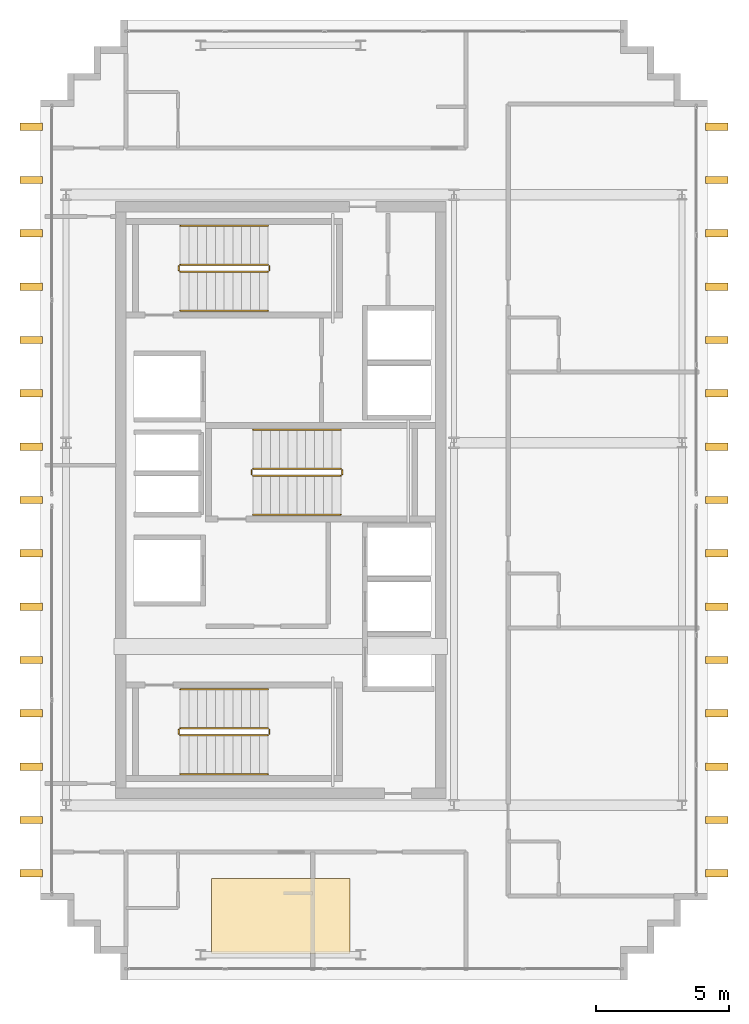
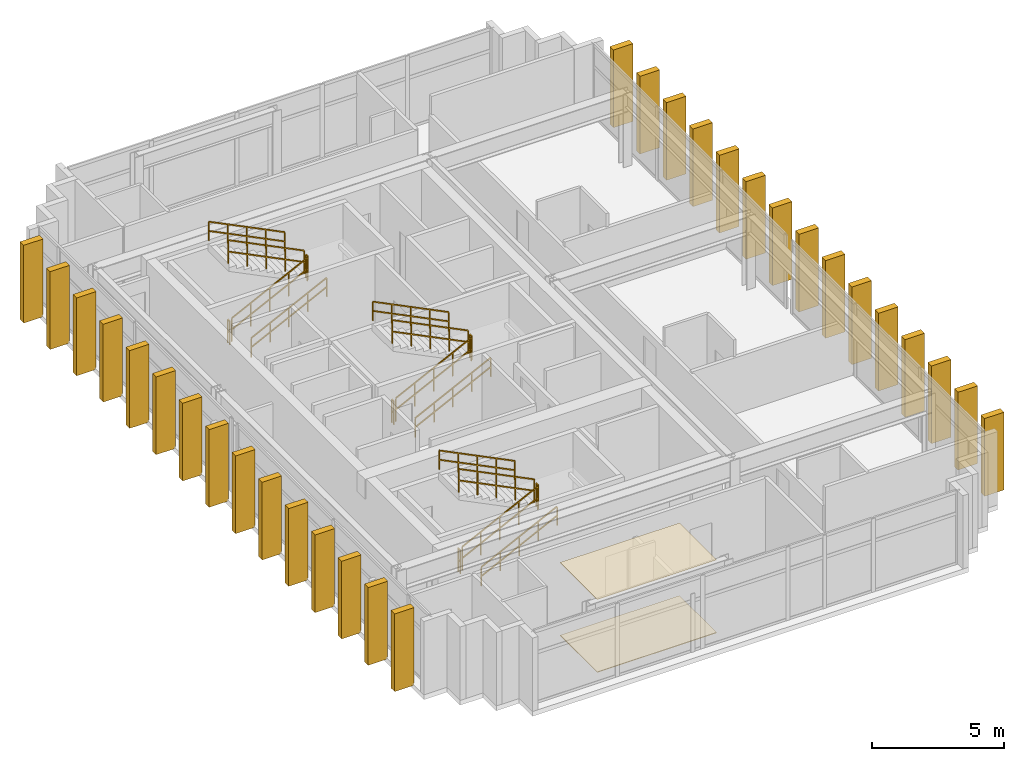
# One storey, part 15 of 15: 30 shading devices, 18 railings, 2 coverings.
"""IFC4 building model written with IfcOpenShell, lengths in metres."""

from ifc_helpers import new_model, si_unit, direction, frame, origin, origin_2d, place, context, subcontext, project, spatial, polyline, rectangle, outline, extrude, source, transform, mapped, material, layer, layer_set, type_object, element, save


model = new_model("IFC4")

# Units and contexts
model_context = context("Model", 3, precision=1e-05, world=origin(), true_north=direction((0.0, 1.0)))
body_context = subcontext(model_context, "Body", "Model", "MODEL_VIEW")
ifc_project = project(units=[si_unit("LENGTHUNIT", "METRE"), si_unit("AREAUNIT", "SQUARE_METRE"), si_unit("VOLUMEUNIT", "CUBIC_METRE"), si_unit("PLANEANGLEUNIT", "RADIAN"), si_unit("MASSUNIT", "GRAM", prefix="KILO")], contexts=[model_context])

# Site, building, storey
site_placement = place(None, origin())
site = spatial("IfcSite", under=ifc_project, at=site_placement, CompositionType="ELEMENT")
building_placement = place(site_placement, origin())
building = spatial("IfcBuilding", under=site, at=building_placement, Name="Ocotamira Hotel", CompositionType="ELEMENT")
storey_placement = place(building_placement, frame((0.0, 0.0, 279.60009765625)))
storey = spatial("IfcBuildingStorey", under=building, at=storey_placement, Name="L71", CompositionType="ELEMENT", Elevation=279.60009765625)

# Coverings
ifc_material_1 = material(Name="Perforated acoustic gypsum ceiling board", Category="gypsum")
ifc_layer_1 = layer(ifc_material_1, 0.02490234375)
ifc_layer_set_1 = layer_set([ifc_layer_1], Name="Perforated acoustic gypsum ceiling board")
covering_type_1 = type_object("IfcCoveringType", Name="COV-CEIL-25", PredefinedType="CEILING", material=ifc_layer_set_1)
covering_1_placement = place(storey_placement, frame((0.0, 0.0, 3.35498046875)))
element("IfcCovering", 1, at=covering_1_placement, inside=storey, type_object=covering_type_1, Name="L71 Acoustic Ceiling", PredefinedType="CEILING", context=body_context, shape_type="SweptSolid", body=[
    extrude(outline(polyline([(14.39990234375, 9.0), (19.60009765625, 9.0), (19.60009765625, 11.800048828125), (14.39990234375, 11.800048828125), (14.39990234375, 9.0)])), origin(), (0.0, 0.0, 1.0), 0.02490234375),
])
ifc_material_2 = material(Name="Honed desert travertine stone flooring", Category="masonry")
ifc_layer_2 = layer(ifc_material_2, 0.030029296875)
ifc_layer_set_2 = layer_set([ifc_layer_2], Name="Honed desert travertine stone flooring")
covering_type_2 = type_object("IfcCoveringType", Name="COV-FLOR-30", PredefinedType="FLOORING", material=ifc_layer_set_2)
covering_2_placement = place(storey_placement, origin())
element("IfcCovering", 2, at=covering_2_placement, inside=storey, type_object=covering_type_2, Name="L71 Honed Stone Floor Finish", PredefinedType="FLOORING", context=body_context, shape_type="SweptSolid", body=[
    extrude(outline(polyline([(14.39990234375, 9.0), (19.60009765625, 9.0), (19.60009765625, 11.800048828125), (14.39990234375, 11.800048828125), (14.39990234375, 9.0)])), origin(), (0.0, 0.0, 1.0), 0.02978515625),
])

# Railings
ifc_material_3 = material(Name="Brushed stainless steel handrail", Category="steel")
railing_type_1 = type_object("IfcRailingType", Name="RL-HAND-900", PredefinedType="HANDRAIL", material=ifc_material_3)
railing_1_placement = place(storey_placement, frame((13.22998046875, 15.719970703125, 0.3271484375)))
element("IfcRailing", 3, at=railing_1_placement, inside=storey, type_object=railing_type_1, Name="L71 ST-1 stair handrail 1", PredefinedType="HANDRAIL", context=body_context, shape_type="SweptSolid", body=[
    extrude(rectangle(XDim=0.048095703125, YDim=0.048095703125, at=origin_2d()), frame((0.0, 0.0, 0.8759765625), z_axis=(0.895893744519, 0.0, 0.4442683857), x_axis=(0.0, 1.0, 0.0)), (0.0, 0.0, 1.0), 3.68359375),
    extrude(rectangle(XDim=0.048095703125, YDim=0.048095703125, at=origin_2d()), frame((0.0, 0.0, 0.449951171875), z_axis=(0.895893744519, 0.0, 0.4442683857), x_axis=(0.0, 1.0, 0.0)), (0.0, 0.0, 1.0), 3.68359375),
    extrude(rectangle(XDim=0.0419921875, YDim=0.0419921875, at=origin_2d()), origin(), (0.0, 0.0, 1.0), 0.851806640625),
    extrude(rectangle(XDim=0.0419921875, YDim=0.0419921875, at=origin_2d()), frame((0.824951171875, 0.0, 0.4091796875)), (0.0, 0.0, 1.0), 0.851806640625),
    extrude(rectangle(XDim=0.0419921875, YDim=0.0419921875, at=origin_2d()), frame((1.64990234375, 0.0, 0.818359375)), (0.0, 0.0, 1.0), 0.851806640625),
    extrude(rectangle(XDim=0.0419921875, YDim=0.0419921875, at=origin_2d()), frame((2.47509765625, 0.0, 1.227294921875)), (0.0, 0.0, 1.0), 0.851806640625),
    extrude(rectangle(XDim=0.0419921875, YDim=0.0419921875, at=origin_2d()), frame((3.300048828125, 0.0, 1.636474609375)), (0.0, 0.0, 1.0), 0.851806640625),
])
railing_2_placement = place(storey_placement, frame((16.530029296875, 18.89990234375, 2.127197265625)))
element("IfcRailing", 4, at=railing_2_placement, inside=storey, type_object=railing_type_1, Name="L71 ST-1 stair handrail 2", PredefinedType="HANDRAIL", context=body_context, shape_type="SweptSolid", body=[
    extrude(rectangle(XDim=0.048095703125, YDim=0.048095703125, at=origin_2d()), frame((0.0, 0.0, 0.8759765625), z_axis=(-0.895920123917, 0.0, 0.444215186098), x_axis=(0.0, -1.0, 0.0)), (0.0, 0.0, 1.0), 3.683349609375),
    extrude(rectangle(XDim=0.048095703125, YDim=0.048095703125, at=origin_2d()), frame((0.0, 0.0, 0.449951171875), z_axis=(-0.895920123917, 0.0, 0.444215186098), x_axis=(0.0, -1.0, 0.0)), (0.0, 0.0, 1.0), 3.683349609375),
    extrude(rectangle(XDim=0.0419921875, YDim=0.0419921875, at=origin_2d()), origin(), (0.0, 0.0, 1.0), 0.851806640625),
    extrude(rectangle(XDim=0.0419921875, YDim=0.0419921875, at=origin_2d()), frame((-0.824951171875, 0.0, 0.4091796875)), (0.0, 0.0, 1.0), 0.851806640625),
    extrude(rectangle(XDim=0.0419921875, YDim=0.0419921875, at=origin_2d()), frame((-1.64990234375, 0.0, 0.818115234375)), (0.0, 0.0, 1.0), 0.851806640625),
    extrude(rectangle(XDim=0.0419921875, YDim=0.0419921875, at=origin_2d()), frame((-2.47509765625, 0.0, 1.22705078125)), (0.0, 0.0, 1.0), 0.851806640625),
    extrude(rectangle(XDim=0.0419921875, YDim=0.0419921875, at=origin_2d()), frame((-3.300048828125, 0.0, 1.63623046875)), (0.0, 0.0, 1.0), 0.851806640625),
])
railing_3_placement = place(storey_placement, frame((13.22998046875, 33.10009765625, 0.3271484375)))
element("IfcRailing", 5, at=railing_3_placement, inside=storey, type_object=railing_type_1, Name="L71 ST-2 stair handrail 1", PredefinedType="HANDRAIL", context=body_context, shape_type="SweptSolid", body=[
    extrude(rectangle(XDim=0.048095703125, YDim=0.048095703125, at=origin_2d()), frame((0.0, 0.0, 0.8759765625), z_axis=(0.895893744519, 0.0, 0.4442683857), x_axis=(0.0, 1.0, 0.0)), (0.0, 0.0, 1.0), 3.68359375),
    extrude(rectangle(XDim=0.048095703125, YDim=0.048095703125, at=origin_2d()), frame((0.0, 0.0, 0.449951171875), z_axis=(0.895893744519, 0.0, 0.4442683857), x_axis=(0.0, 1.0, 0.0)), (0.0, 0.0, 1.0), 3.68359375),
    extrude(rectangle(XDim=0.0419921875, YDim=0.0419921875, at=origin_2d()), origin(), (0.0, 0.0, 1.0), 0.851806640625),
    extrude(rectangle(XDim=0.0419921875, YDim=0.0419921875, at=origin_2d()), frame((0.824951171875, 0.0, 0.4091796875)), (0.0, 0.0, 1.0), 0.851806640625),
    extrude(rectangle(XDim=0.0419921875, YDim=0.0419921875, at=origin_2d()), frame((1.64990234375, 0.0, 0.818359375)), (0.0, 0.0, 1.0), 0.851806640625),
    extrude(rectangle(XDim=0.0419921875, YDim=0.0419921875, at=origin_2d()), frame((2.47509765625, 0.0, 1.227294921875)), (0.0, 0.0, 1.0), 0.851806640625),
    extrude(rectangle(XDim=0.0419921875, YDim=0.0419921875, at=origin_2d()), frame((3.300048828125, 0.0, 1.636474609375)), (0.0, 0.0, 1.0), 0.851806640625),
])
railing_4_placement = place(storey_placement, frame((16.530029296875, 36.280029296875, 2.127197265625)))
element("IfcRailing", 6, at=railing_4_placement, inside=storey, type_object=railing_type_1, Name="L71 ST-2 stair handrail 2", PredefinedType="HANDRAIL", context=body_context, shape_type="SweptSolid", body=[
    extrude(rectangle(XDim=0.048095703125, YDim=0.048095703125, at=origin_2d()), frame((0.0, 0.0, 0.8759765625), z_axis=(-0.895920123917, 0.0, 0.444215186098), x_axis=(0.0, -1.0, 0.0)), (0.0, 0.0, 1.0), 3.683349609375),
    extrude(rectangle(XDim=0.048095703125, YDim=0.048095703125, at=origin_2d()), frame((0.0, 0.0, 0.449951171875), z_axis=(-0.895920123917, 0.0, 0.444215186098), x_axis=(0.0, -1.0, 0.0)), (0.0, 0.0, 1.0), 3.683349609375),
    extrude(rectangle(XDim=0.0419921875, YDim=0.0419921875, at=origin_2d()), origin(), (0.0, 0.0, 1.0), 0.851806640625),
    extrude(rectangle(XDim=0.0419921875, YDim=0.0419921875, at=origin_2d()), frame((-0.824951171875, 0.0, 0.4091796875)), (0.0, 0.0, 1.0), 0.851806640625),
    extrude(rectangle(XDim=0.0419921875, YDim=0.0419921875, at=origin_2d()), frame((-1.64990234375, 0.0, 0.818115234375)), (0.0, 0.0, 1.0), 0.851806640625),
    extrude(rectangle(XDim=0.0419921875, YDim=0.0419921875, at=origin_2d()), frame((-2.47509765625, 0.0, 1.22705078125)), (0.0, 0.0, 1.0), 0.851806640625),
    extrude(rectangle(XDim=0.0419921875, YDim=0.0419921875, at=origin_2d()), frame((-3.300048828125, 0.0, 1.63623046875)), (0.0, 0.0, 1.0), 0.851806640625),
])
railing_5_placement = place(storey_placement, frame((15.9599609375, 25.449951171875, 0.3271484375)))
element("IfcRailing", 7, at=railing_5_placement, inside=storey, type_object=railing_type_1, Name="L71 ST-3 stair handrail 1", PredefinedType="HANDRAIL", context=body_context, shape_type="SweptSolid", body=[
    extrude(rectangle(XDim=0.048095703125, YDim=0.048095703125, at=origin_2d()), frame((0.0, 0.0, 0.8759765625), z_axis=(0.895893744519, 0.0, 0.4442683857), x_axis=(0.0, 1.0, 0.0)), (0.0, 0.0, 1.0), 3.68359375),
    extrude(rectangle(XDim=0.048095703125, YDim=0.048095703125, at=origin_2d()), frame((0.0, 0.0, 0.449951171875), z_axis=(0.895893744519, 0.0, 0.4442683857), x_axis=(0.0, 1.0, 0.0)), (0.0, 0.0, 1.0), 3.68359375),
    extrude(rectangle(XDim=0.0419921875, YDim=0.0419921875, at=origin_2d()), origin(), (0.0, 0.0, 1.0), 0.851806640625),
    extrude(rectangle(XDim=0.0419921875, YDim=0.0419921875, at=origin_2d()), frame((0.824951171875, 0.0, 0.4091796875)), (0.0, 0.0, 1.0), 0.851806640625),
    extrude(rectangle(XDim=0.0419921875, YDim=0.0419921875, at=origin_2d()), frame((1.64990234375, 0.0, 0.818359375)), (0.0, 0.0, 1.0), 0.851806640625),
    extrude(rectangle(XDim=0.0419921875, YDim=0.0419921875, at=origin_2d()), frame((2.47509765625, 0.0, 1.227294921875)), (0.0, 0.0, 1.0), 0.851806640625),
    extrude(rectangle(XDim=0.0419921875, YDim=0.0419921875, at=origin_2d()), frame((3.300048828125, 0.0, 1.636474609375)), (0.0, 0.0, 1.0), 0.851806640625),
])
railing_6_placement = place(storey_placement, frame((19.260009765625, 28.6298828125, 2.127197265625)))
element("IfcRailing", 8, at=railing_6_placement, inside=storey, type_object=railing_type_1, Name="L71 ST-3 stair handrail 2", PredefinedType="HANDRAIL", context=body_context, shape_type="SweptSolid", body=[
    extrude(rectangle(XDim=0.048095703125, YDim=0.048095703125, at=origin_2d()), frame((0.0, 0.0, 0.8759765625), z_axis=(-0.895920123917, 0.0, 0.444215186098), x_axis=(0.0, -1.0, 0.0)), (0.0, 0.0, 1.0), 3.683349609375),
    extrude(rectangle(XDim=0.048095703125, YDim=0.048095703125, at=origin_2d()), frame((0.0, 0.0, 0.449951171875), z_axis=(-0.895920123917, 0.0, 0.444215186098), x_axis=(0.0, -1.0, 0.0)), (0.0, 0.0, 1.0), 3.683349609375),
    extrude(rectangle(XDim=0.0419921875, YDim=0.0419921875, at=origin_2d()), origin(), (0.0, 0.0, 1.0), 0.851806640625),
    extrude(rectangle(XDim=0.0419921875, YDim=0.0419921875, at=origin_2d()), frame((-0.824951171875, 0.0, 0.4091796875)), (0.0, 0.0, 1.0), 0.851806640625),
    extrude(rectangle(XDim=0.0419921875, YDim=0.0419921875, at=origin_2d()), frame((-1.64990234375, 0.0, 0.818115234375)), (0.0, 0.0, 1.0), 0.851806640625),
    extrude(rectangle(XDim=0.0419921875, YDim=0.0419921875, at=origin_2d()), frame((-2.47509765625, 0.0, 1.22705078125)), (0.0, 0.0, 1.0), 0.851806640625),
    extrude(rectangle(XDim=0.0419921875, YDim=0.0419921875, at=origin_2d()), frame((-3.300048828125, 0.0, 1.63623046875)), (0.0, 0.0, 1.0), 0.851806640625),
])
ifc_material_4 = material(Name="Painted steel stair guardrail", Category="steel")
railing_type_2 = type_object("IfcRailingType", Name="RL-STAIR-1100", PredefinedType="GUARDRAIL", material=ifc_material_4)
railing_7_placement = place(storey_placement, frame((13.22998046875, 17.179931640625, 0.16357421875)))
element("IfcRailing", 9, at=railing_7_placement, inside=storey, type_object=railing_type_2, Name="L71 ST-1 stair guard 1", PredefinedType="GUARDRAIL", context=body_context, shape_type="SweptSolid", body=[
    extrude(rectangle(XDim=0.048095703125, YDim=0.048095703125, at=origin_2d()), frame((0.0, 0.0, 1.076171875), z_axis=(0.895920123917, 0.0, 0.444215186098), x_axis=(0.0, 1.0, 0.0)), (0.0, 0.0, 1.0), 3.683349609375),
    extrude(rectangle(XDim=0.048095703125, YDim=0.048095703125, at=origin_2d()), frame((0.0, 0.0, 0.550048828125), z_axis=(0.895920123917, 0.0, 0.444215186098), x_axis=(0.0, 1.0, 0.0)), (0.0, 0.0, 1.0), 3.683349609375),
    extrude(rectangle(XDim=0.0419921875, YDim=0.0419921875, at=origin_2d()), origin(), (0.0, 0.0, 1.0), 1.052001953125),
    extrude(rectangle(XDim=0.0419921875, YDim=0.0419921875, at=origin_2d()), frame((0.824951171875, 0.0, 0.4091796875)), (0.0, 0.0, 1.0), 1.052001953125),
    extrude(rectangle(XDim=0.0419921875, YDim=0.0419921875, at=origin_2d()), frame((1.64990234375, 0.0, 0.818115234375)), (0.0, 0.0, 1.0), 1.052001953125),
    extrude(rectangle(XDim=0.0419921875, YDim=0.0419921875, at=origin_2d()), frame((2.47509765625, 0.0, 1.22705078125)), (0.0, 0.0, 1.0), 1.052001953125),
    extrude(rectangle(XDim=0.0419921875, YDim=0.0419921875, at=origin_2d()), frame((3.300048828125, 0.0, 1.63623046875)), (0.0, 0.0, 1.0), 1.052001953125),
])
railing_8_placement = place(storey_placement, frame((16.580078125, 17.22998046875, 1.7998046875)))
element("IfcRailing", 10, at=railing_8_placement, inside=storey, type_object=railing_type_2, Name="L71 ST-1 stair guard 2", PredefinedType="GUARDRAIL", context=body_context, shape_type="SweptSolid", body=[
    extrude(rectangle(XDim=0.048095703125, YDim=0.048095703125, at=origin_2d()), frame((0.0, 0.0, 1.076171875), z_axis=(0.0, 1.0, 0.0), x_axis=(-1.0, 0.0, 0.0)), (0.0, 0.0, 1.0), 0.159912109375),
    extrude(rectangle(XDim=0.048095703125, YDim=0.048095703125, at=origin_2d()), frame((0.0, 0.0, 0.550048828125), z_axis=(0.0, 1.0, 0.0), x_axis=(-1.0, 0.0, 0.0)), (0.0, 0.0, 1.0), 0.159912109375),
    extrude(rectangle(XDim=0.0419921875, YDim=0.0419921875, at=origin_2d()), origin(), (0.0, 0.0, 1.0), 1.052001953125),
    extrude(rectangle(XDim=0.0419921875, YDim=0.0419921875, at=origin_2d()), frame((0.0, 0.159912109375, 0.0)), (0.0, 0.0, 1.0), 1.052001953125),
])
railing_9_placement = place(storey_placement, frame((16.530029296875, 17.43994140625, 1.963623046875)))
element("IfcRailing", 11, at=railing_9_placement, inside=storey, type_object=railing_type_2, Name="L71 ST-1 stair guard 3", PredefinedType="GUARDRAIL", context=body_context, shape_type="SweptSolid", body=[
    extrude(rectangle(XDim=0.048095703125, YDim=0.048095703125, at=origin_2d()), frame((0.0, 0.0, 1.076171875), z_axis=(-0.895920123917, 0.0, 0.444215186098), x_axis=(0.0, -1.0, 0.0)), (0.0, 0.0, 1.0), 3.683349609375),
    extrude(rectangle(XDim=0.048095703125, YDim=0.048095703125, at=origin_2d()), frame((0.0, 0.0, 0.550048828125), z_axis=(-0.895920123917, 0.0, 0.444215186098), x_axis=(0.0, -1.0, 0.0)), (0.0, 0.0, 1.0), 3.683349609375),
    extrude(rectangle(XDim=0.0419921875, YDim=0.0419921875, at=origin_2d()), origin(), (0.0, 0.0, 1.0), 1.052001953125),
    extrude(rectangle(XDim=0.0419921875, YDim=0.0419921875, at=origin_2d()), frame((-0.824951171875, 0.0, 0.4091796875)), (0.0, 0.0, 1.0), 1.052001953125),
    extrude(rectangle(XDim=0.0419921875, YDim=0.0419921875, at=origin_2d()), frame((-1.64990234375, 0.0, 0.818115234375)), (0.0, 0.0, 1.0), 1.052001953125),
    extrude(rectangle(XDim=0.0419921875, YDim=0.0419921875, at=origin_2d()), frame((-2.47509765625, 0.0, 1.22705078125)), (0.0, 0.0, 1.0), 1.052001953125),
    extrude(rectangle(XDim=0.0419921875, YDim=0.0419921875, at=origin_2d()), frame((-3.300048828125, 0.0, 1.63623046875)), (0.0, 0.0, 1.0), 1.052001953125),
])
railing_10_placement = place(storey_placement, frame((13.179931640625, 17.22998046875, 0.0)))
element("IfcRailing", 12, at=railing_10_placement, inside=storey, type_object=railing_type_2, Name="L71 ST-1 stair guard 4", PredefinedType="GUARDRAIL", context=body_context, shape_type="SweptSolid", body=[
    extrude(rectangle(XDim=0.048095703125, YDim=0.048095703125, at=origin_2d()), frame((0.0, 0.0, 1.076171875), z_axis=(0.0, 1.0, 0.0), x_axis=(-1.0, 0.0, 0.0)), (0.0, 0.0, 1.0), 0.159912109375),
    extrude(rectangle(XDim=0.048095703125, YDim=0.048095703125, at=origin_2d()), frame((0.0, 0.0, 0.550048828125), z_axis=(0.0, 1.0, 0.0), x_axis=(-1.0, 0.0, 0.0)), (0.0, 0.0, 1.0), 0.159912109375),
    extrude(rectangle(XDim=0.0419921875, YDim=0.0419921875, at=origin_2d()), origin(), (0.0, 0.0, 1.0), 1.052001953125),
    extrude(rectangle(XDim=0.0419921875, YDim=0.0419921875, at=origin_2d()), frame((0.0, 0.159912109375, 0.0)), (0.0, 0.0, 1.0), 1.052001953125),
])
railing_11_placement = place(storey_placement, frame((13.22998046875, 34.56005859375, 0.16357421875)))
element("IfcRailing", 13, at=railing_11_placement, inside=storey, type_object=railing_type_2, Name="L71 ST-2 stair guard 1", PredefinedType="GUARDRAIL", context=body_context, shape_type="SweptSolid", body=[
    extrude(rectangle(XDim=0.048095703125, YDim=0.048095703125, at=origin_2d()), frame((0.0, 0.0, 1.076171875), z_axis=(0.895920123917, 0.0, 0.444215186098), x_axis=(0.0, 1.0, 0.0)), (0.0, 0.0, 1.0), 3.683349609375),
    extrude(rectangle(XDim=0.048095703125, YDim=0.048095703125, at=origin_2d()), frame((0.0, 0.0, 0.550048828125), z_axis=(0.895920123917, 0.0, 0.444215186098), x_axis=(0.0, 1.0, 0.0)), (0.0, 0.0, 1.0), 3.683349609375),
    extrude(rectangle(XDim=0.0419921875, YDim=0.0419921875, at=origin_2d()), origin(), (0.0, 0.0, 1.0), 1.052001953125),
    extrude(rectangle(XDim=0.0419921875, YDim=0.0419921875, at=origin_2d()), frame((0.824951171875, 0.0, 0.4091796875)), (0.0, 0.0, 1.0), 1.052001953125),
    extrude(rectangle(XDim=0.0419921875, YDim=0.0419921875, at=origin_2d()), frame((1.64990234375, 0.0, 0.818115234375)), (0.0, 0.0, 1.0), 1.052001953125),
    extrude(rectangle(XDim=0.0419921875, YDim=0.0419921875, at=origin_2d()), frame((2.47509765625, 0.0, 1.22705078125)), (0.0, 0.0, 1.0), 1.052001953125),
    extrude(rectangle(XDim=0.0419921875, YDim=0.0419921875, at=origin_2d()), frame((3.300048828125, 0.0, 1.63623046875)), (0.0, 0.0, 1.0), 1.052001953125),
])
railing_12_placement = place(storey_placement, frame((16.580078125, 34.610107421875, 1.7998046875)))
element("IfcRailing", 14, at=railing_12_placement, inside=storey, type_object=railing_type_2, Name="L71 ST-2 stair guard 2", PredefinedType="GUARDRAIL", context=body_context, shape_type="SweptSolid", body=[
    extrude(rectangle(XDim=0.048095703125, YDim=0.048095703125, at=origin_2d()), frame((0.0, 0.0, 1.076171875), z_axis=(0.0, 1.0, 0.0), x_axis=(-1.0, 0.0, 0.0)), (0.0, 0.0, 1.0), 0.159912109375),
    extrude(rectangle(XDim=0.048095703125, YDim=0.048095703125, at=origin_2d()), frame((0.0, 0.0, 0.550048828125), z_axis=(0.0, 1.0, 0.0), x_axis=(-1.0, 0.0, 0.0)), (0.0, 0.0, 1.0), 0.159912109375),
    extrude(rectangle(XDim=0.0419921875, YDim=0.0419921875, at=origin_2d()), origin(), (0.0, 0.0, 1.0), 1.052001953125),
    extrude(rectangle(XDim=0.0419921875, YDim=0.0419921875, at=origin_2d()), frame((0.0, 0.159912109375, 0.0)), (0.0, 0.0, 1.0), 1.052001953125),
])
railing_13_placement = place(storey_placement, frame((16.530029296875, 34.820068359375, 1.963623046875)))
element("IfcRailing", 15, at=railing_13_placement, inside=storey, type_object=railing_type_2, Name="L71 ST-2 stair guard 3", PredefinedType="GUARDRAIL", context=body_context, shape_type="SweptSolid", body=[
    extrude(rectangle(XDim=0.048095703125, YDim=0.048095703125, at=origin_2d()), frame((0.0, 0.0, 1.076171875), z_axis=(-0.895920123917, 0.0, 0.444215186098), x_axis=(0.0, -1.0, 0.0)), (0.0, 0.0, 1.0), 3.683349609375),
    extrude(rectangle(XDim=0.048095703125, YDim=0.048095703125, at=origin_2d()), frame((0.0, 0.0, 0.550048828125), z_axis=(-0.895920123917, 0.0, 0.444215186098), x_axis=(0.0, -1.0, 0.0)), (0.0, 0.0, 1.0), 3.683349609375),
    extrude(rectangle(XDim=0.0419921875, YDim=0.0419921875, at=origin_2d()), origin(), (0.0, 0.0, 1.0), 1.052001953125),
    extrude(rectangle(XDim=0.0419921875, YDim=0.0419921875, at=origin_2d()), frame((-0.824951171875, 0.0, 0.4091796875)), (0.0, 0.0, 1.0), 1.052001953125),
    extrude(rectangle(XDim=0.0419921875, YDim=0.0419921875, at=origin_2d()), frame((-1.64990234375, 0.0, 0.818115234375)), (0.0, 0.0, 1.0), 1.052001953125),
    extrude(rectangle(XDim=0.0419921875, YDim=0.0419921875, at=origin_2d()), frame((-2.47509765625, 0.0, 1.22705078125)), (0.0, 0.0, 1.0), 1.052001953125),
    extrude(rectangle(XDim=0.0419921875, YDim=0.0419921875, at=origin_2d()), frame((-3.300048828125, 0.0, 1.63623046875)), (0.0, 0.0, 1.0), 1.052001953125),
])
railing_14_placement = place(storey_placement, frame((13.179931640625, 34.610107421875, 0.0)))
element("IfcRailing", 16, at=railing_14_placement, inside=storey, type_object=railing_type_2, Name="L71 ST-2 stair guard 4", PredefinedType="GUARDRAIL", context=body_context, shape_type="SweptSolid", body=[
    extrude(rectangle(XDim=0.048095703125, YDim=0.048095703125, at=origin_2d()), frame((0.0, 0.0, 1.076171875), z_axis=(0.0, 1.0, 0.0), x_axis=(-1.0, 0.0, 0.0)), (0.0, 0.0, 1.0), 0.159912109375),
    extrude(rectangle(XDim=0.048095703125, YDim=0.048095703125, at=origin_2d()), frame((0.0, 0.0, 0.550048828125), z_axis=(0.0, 1.0, 0.0), x_axis=(-1.0, 0.0, 0.0)), (0.0, 0.0, 1.0), 0.159912109375),
    extrude(rectangle(XDim=0.0419921875, YDim=0.0419921875, at=origin_2d()), origin(), (0.0, 0.0, 1.0), 1.052001953125),
    extrude(rectangle(XDim=0.0419921875, YDim=0.0419921875, at=origin_2d()), frame((0.0, 0.159912109375, 0.0)), (0.0, 0.0, 1.0), 1.052001953125),
])
railing_15_placement = place(storey_placement, frame((15.9599609375, 26.909912109375, 0.16357421875)))
element("IfcRailing", 17, at=railing_15_placement, inside=storey, type_object=railing_type_2, Name="L71 ST-3 stair guard 1", PredefinedType="GUARDRAIL", context=body_context, shape_type="SweptSolid", body=[
    extrude(rectangle(XDim=0.048095703125, YDim=0.048095703125, at=origin_2d()), frame((0.0, 0.0, 1.076171875), z_axis=(0.895920123917, 0.0, 0.444215186098), x_axis=(0.0, 1.0, 0.0)), (0.0, 0.0, 1.0), 3.683349609375),
    extrude(rectangle(XDim=0.048095703125, YDim=0.048095703125, at=origin_2d()), frame((0.0, 0.0, 0.550048828125), z_axis=(0.895920123917, 0.0, 0.444215186098), x_axis=(0.0, 1.0, 0.0)), (0.0, 0.0, 1.0), 3.683349609375),
    extrude(rectangle(XDim=0.0419921875, YDim=0.0419921875, at=origin_2d()), origin(), (0.0, 0.0, 1.0), 1.052001953125),
    extrude(rectangle(XDim=0.0419921875, YDim=0.0419921875, at=origin_2d()), frame((0.824951171875, 0.0, 0.4091796875)), (0.0, 0.0, 1.0), 1.052001953125),
    extrude(rectangle(XDim=0.0419921875, YDim=0.0419921875, at=origin_2d()), frame((1.64990234375, 0.0, 0.818115234375)), (0.0, 0.0, 1.0), 1.052001953125),
    extrude(rectangle(XDim=0.0419921875, YDim=0.0419921875, at=origin_2d()), frame((2.47509765625, 0.0, 1.22705078125)), (0.0, 0.0, 1.0), 1.052001953125),
    extrude(rectangle(XDim=0.0419921875, YDim=0.0419921875, at=origin_2d()), frame((3.300048828125, 0.0, 1.63623046875)), (0.0, 0.0, 1.0), 1.052001953125),
])
railing_16_placement = place(storey_placement, frame((19.31005859375, 26.9599609375, 1.7998046875)))
element("IfcRailing", 18, at=railing_16_placement, inside=storey, type_object=railing_type_2, Name="L71 ST-3 stair guard 2", PredefinedType="GUARDRAIL", context=body_context, shape_type="SweptSolid", body=[
    extrude(rectangle(XDim=0.048095703125, YDim=0.048095703125, at=origin_2d()), frame((0.0, 0.0, 1.076171875), z_axis=(0.0, 1.0, 0.0), x_axis=(-1.0, 0.0, 0.0)), (0.0, 0.0, 1.0), 0.16015625),
    extrude(rectangle(XDim=0.048095703125, YDim=0.048095703125, at=origin_2d()), frame((0.0, 0.0, 0.550048828125), z_axis=(0.0, 1.0, 0.0), x_axis=(-1.0, 0.0, 0.0)), (0.0, 0.0, 1.0), 0.16015625),
    extrude(rectangle(XDim=0.0419921875, YDim=0.0419921875, at=origin_2d()), origin(), (0.0, 0.0, 1.0), 1.052001953125),
    extrude(rectangle(XDim=0.0419921875, YDim=0.0419921875, at=origin_2d()), frame((0.0, 0.16015625, 0.0)), (0.0, 0.0, 1.0), 1.052001953125),
])
railing_17_placement = place(storey_placement, frame((19.260009765625, 27.169921875, 1.963623046875)))
element("IfcRailing", 19, at=railing_17_placement, inside=storey, type_object=railing_type_2, Name="L71 ST-3 stair guard 3", PredefinedType="GUARDRAIL", context=body_context, shape_type="SweptSolid", body=[
    extrude(rectangle(XDim=0.048095703125, YDim=0.048095703125, at=origin_2d()), frame((0.0, 0.0, 1.076171875), z_axis=(-0.895920123917, 0.0, 0.444215186098), x_axis=(0.0, -1.0, 0.0)), (0.0, 0.0, 1.0), 3.683349609375),
    extrude(rectangle(XDim=0.048095703125, YDim=0.048095703125, at=origin_2d()), frame((0.0, 0.0, 0.550048828125), z_axis=(-0.895920123917, 0.0, 0.444215186098), x_axis=(0.0, -1.0, 0.0)), (0.0, 0.0, 1.0), 3.683349609375),
    extrude(rectangle(XDim=0.0419921875, YDim=0.0419921875, at=origin_2d()), origin(), (0.0, 0.0, 1.0), 1.052001953125),
    extrude(rectangle(XDim=0.0419921875, YDim=0.0419921875, at=origin_2d()), frame((-0.824951171875, 0.0, 0.4091796875)), (0.0, 0.0, 1.0), 1.052001953125),
    extrude(rectangle(XDim=0.0419921875, YDim=0.0419921875, at=origin_2d()), frame((-1.64990234375, 0.0, 0.818115234375)), (0.0, 0.0, 1.0), 1.052001953125),
    extrude(rectangle(XDim=0.0419921875, YDim=0.0419921875, at=origin_2d()), frame((-2.47509765625, 0.0, 1.22705078125)), (0.0, 0.0, 1.0), 1.052001953125),
    extrude(rectangle(XDim=0.0419921875, YDim=0.0419921875, at=origin_2d()), frame((-3.300048828125, 0.0, 1.63623046875)), (0.0, 0.0, 1.0), 1.052001953125),
])
railing_18_placement = place(storey_placement, frame((15.909912109375, 26.9599609375, 0.0)))
element("IfcRailing", 20, at=railing_18_placement, inside=storey, type_object=railing_type_2, Name="L71 ST-3 stair guard 4", PredefinedType="GUARDRAIL", context=body_context, shape_type="SweptSolid", body=[
    extrude(rectangle(XDim=0.048095703125, YDim=0.048095703125, at=origin_2d()), frame((0.0, 0.0, 1.076171875), z_axis=(0.0, 1.0, 0.0), x_axis=(-1.0, 0.0, 0.0)), (0.0, 0.0, 1.0), 0.16015625),
    extrude(rectangle(XDim=0.048095703125, YDim=0.048095703125, at=origin_2d()), frame((0.0, 0.0, 0.550048828125), z_axis=(0.0, 1.0, 0.0), x_axis=(-1.0, 0.0, 0.0)), (0.0, 0.0, 1.0), 0.16015625),
    extrude(rectangle(XDim=0.0419921875, YDim=0.0419921875, at=origin_2d()), origin(), (0.0, 0.0, 1.0), 1.052001953125),
    extrude(rectangle(XDim=0.0419921875, YDim=0.0419921875, at=origin_2d()), frame((0.0, 0.16015625, 0.0)), (0.0, 0.0, 1.0), 1.052001953125),
])

# Shading devices
ifc_material_5 = material(Name="Pale-metal anodised aluminium architectural fin", Category="aluminium")
shading_device_type = type_object("IfcShadingDeviceType", Name="SHD-PIER-850", PredefinedType="USERDEFINED", material=ifc_material_5)
shared_shape = source(origin(), body_context, "Body", "SweptSolid", [
    extrude(rectangle(XDim=0.85009765625, YDim=0.280029296875, at=origin_2d()), origin(), (0.0, 0.0, 1.0), 3.580078125),
])
for number, where, z_axis, x_axis, name in (
    (21, (7.64990234375, 12.0, -0.10009765625), (0.0, 0.0, 1.0), (1.0, 0.0, 0.0), "L71 West Peak Vertical Pier X7 Y12"),
    (22, (33.35009765625, 12.0, -0.10009765625), (0.0, 0.0, 1.0), (1.0, 0.0, 0.0), "L71 West Peak Vertical Pier X33 Y12"),
    (23, (7.64990234375, 14.0, -0.10009765625), (0.0, 0.0, 1.0), (1.0, 0.0, 0.0), "L71 West Peak Vertical Pier X7 Y14"),
    (24, (33.35009765625, 14.0, -0.10009765625), (0.0, 0.0, 1.0), (1.0, 0.0, 0.0), "L71 West Peak Vertical Pier X33 Y14"),
    (25, (7.64990234375, 16.0, -0.10009765625), (0.0, 0.0, 1.0), (1.0, 0.0, 0.0), "L71 West Peak Vertical Pier X7 Y16"),
    (26, (33.35009765625, 16.0, -0.10009765625), (0.0, 0.0, 1.0), (1.0, 0.0, 0.0), "L71 West Peak Vertical Pier X33 Y16"),
    (27, (7.64990234375, 18.0, -0.10009765625), (0.0, 0.0, 1.0), (1.0, 0.0, 0.0), "L71 West Peak Vertical Pier X7 Y18"),
    (28, (33.35009765625, 18.0, -0.10009765625), (0.0, 0.0, 1.0), (1.0, 0.0, 0.0), "L71 West Peak Vertical Pier X33 Y18"),
    (29, (7.64990234375, 20.0, -0.10009765625), (0.0, 0.0, 1.0), (1.0, 0.0, 0.0), "L71 West Peak Vertical Pier X7 Y20"),
    (30, (33.35009765625, 20.0, -0.10009765625), (0.0, 0.0, 1.0), (1.0, 0.0, 0.0), "L71 West Peak Vertical Pier X33 Y20"),
    (31, (7.64990234375, 22.0, -0.10009765625), (0.0, 0.0, 1.0), (1.0, 0.0, 0.0), "L71 West Peak Vertical Pier X7 Y22"),
    (32, (33.35009765625, 22.0, -0.10009765625), (0.0, 0.0, 1.0), (1.0, 0.0, 0.0), "L71 West Peak Vertical Pier X33 Y22"),
    (33, (7.64990234375, 24.0, -0.10009765625), (0.0, 0.0, 1.0), (1.0, 0.0, 0.0), "L71 West Peak Vertical Pier X7 Y24"),
    (34, (33.35009765625, 24.0, -0.10009765625), (0.0, 0.0, 1.0), (1.0, 0.0, 0.0), "L71 West Peak Vertical Pier X33 Y24"),
    (35, (7.64990234375, 26.0, -0.10009765625), (0.0, 0.0, 1.0), (1.0, 0.0, 0.0), "L71 West Peak Vertical Pier X7 Y26"),
    (36, (33.35009765625, 26.0, -0.10009765625), (0.0, 0.0, 1.0), (1.0, 0.0, 0.0), "L71 West Peak Vertical Pier X33 Y26"),
    (37, (7.64990234375, 28.0, -0.10009765625), (0.0, 0.0, 1.0), (1.0, 0.0, 0.0), "L71 West Peak Vertical Pier X7 Y28"),
    (38, (33.35009765625, 28.0, -0.10009765625), (0.0, 0.0, 1.0), (1.0, 0.0, 0.0), "L71 West Peak Vertical Pier X33 Y28"),
    (39, (7.64990234375, 30.0, -0.10009765625), (0.0, 0.0, 1.0), (1.0, 0.0, 0.0), "L71 West Peak Vertical Pier X7 Y30"),
    (40, (33.35009765625, 30.0, -0.10009765625), (0.0, 0.0, 1.0), (1.0, 0.0, 0.0), "L71 West Peak Vertical Pier X33 Y30"),
    (41, (7.64990234375, 32.0, -0.10009765625), (0.0, 0.0, 1.0), (1.0, 0.0, 0.0), "L71 West Peak Vertical Pier X7 Y32"),
    (42, (33.35009765625, 32.0, -0.10009765625), (0.0, 0.0, 1.0), (1.0, 0.0, 0.0), "L71 West Peak Vertical Pier X33 Y32"),
    (43, (7.64990234375, 34.0, -0.10009765625), (0.0, 0.0, 1.0), (1.0, 0.0, 0.0), "L71 West Peak Vertical Pier X7 Y34"),
    (44, (33.35009765625, 34.0, -0.10009765625), (0.0, 0.0, 1.0), (1.0, 0.0, 0.0), "L71 West Peak Vertical Pier X33 Y34"),
    (45, (7.64990234375, 36.0, -0.10009765625), (0.0, 0.0, 1.0), (1.0, 0.0, 0.0), "L71 West Peak Vertical Pier X7 Y36"),
    (46, (33.35009765625, 36.0, -0.10009765625), (0.0, 0.0, 1.0), (1.0, 0.0, 0.0), "L71 West Peak Vertical Pier X33 Y36"),
    (47, (7.64990234375, 38.0, -0.10009765625), (0.0, 0.0, 1.0), (1.0, 0.0, 0.0), "L71 West Peak Vertical Pier X7 Y38"),
    (48, (33.35009765625, 38.0, -0.10009765625), (0.0, 0.0, 1.0), (1.0, 0.0, 0.0), "L71 West Peak Vertical Pier X33 Y38"),
    (49, (7.64990234375, 40.0, -0.10009765625), (0.0, 0.0, 1.0), (1.0, 0.0, 0.0), "L71 West Peak Vertical Pier X7 Y40"),
    (50, (33.35009765625, 40.0, -0.10009765625), (0.0, 0.0, 1.0), (1.0, 0.0, 0.0), "L71 West Peak Vertical Pier X33 Y40"),
):
    element("IfcShadingDevice", number, at=place(storey_placement, frame(where, z_axis=z_axis, x_axis=x_axis)), inside=storey, type_object=shading_device_type, Name=name, ObjectType="FIN", PredefinedType="USERDEFINED", context=body_context, shape_type="MappedRepresentation", body=[
        mapped(shared_shape, transform((0.0, 0.0, 0.0), scale=1.0)),
    ])

save(model, "model.ifc")
